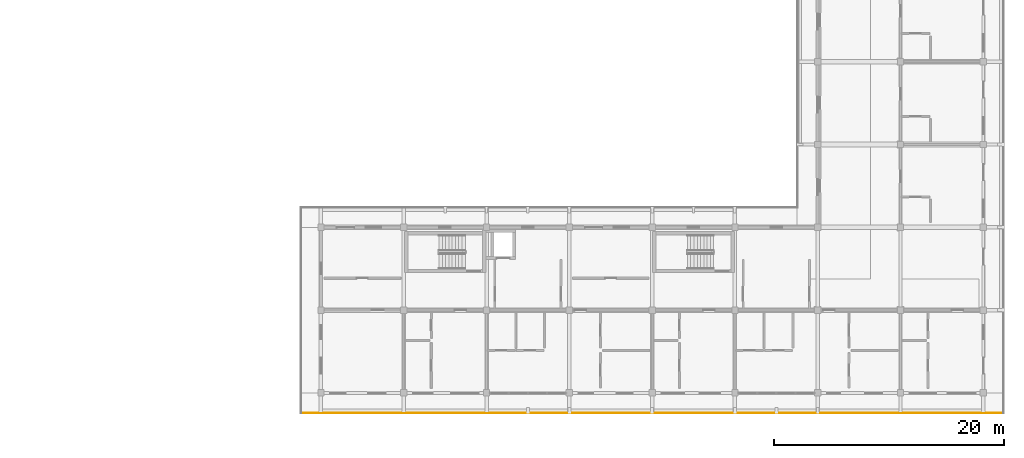
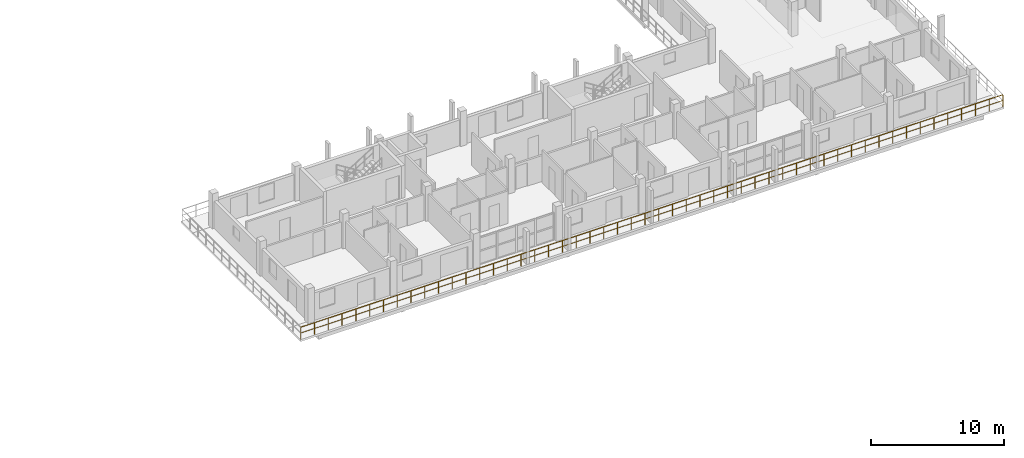
# One storey, part 62 of 67: 1 railing.
"""IFC4 building model written with IfcOpenShell, lengths in metres."""

import ifcopenshell
import ifcopenshell.guid

model = None  # the IFC model being written
_history = None  # IfcOwnerHistory: only IFC2X3 demands one
_inside = {}  # id of a spatial element -> (the spatial element, [elements in it])
_under = {}  # id of a project, library or spatial element -> (it, [spatial elements below it])
_declared = {}  # id of a project -> (the project, [libraries it declares])
_typed = {}  # id of a type object -> (the type object, [elements of that type])
_made_of = {}  # id of a material, layer set ... -> (it, [elements and type objects made of it])


def new_model(schema):
    """Start an empty IFC model of exactly this schema.

    Asked for "IFC4X3", IfcOpenShell would pick the latest addendum, in which some entities
    have other attributes; the version numbers below select the first issue.
    IFC2X3 requires an IfcOwnerHistory on every rooted entity: one is made here for all.
    """
    global model, _history
    if schema == "IFC4X3":
        model = ifcopenshell.file(schema_version=(4, 3, 0, 0))
    else:
        model = ifcopenshell.file(schema=schema)
    _inside.clear()
    _under.clear()
    _declared.clear()
    _typed.clear()
    _made_of.clear()
    _history = None
    if model.schema == "IFC2X3":
        org = make("IfcOrganization", Name="unknown")
        user = make(
            "IfcPersonAndOrganization",
            ThePerson=make("IfcPerson", FamilyName="unknown"),
            TheOrganization=org,
        )
        app = make(
            "IfcApplication",
            ApplicationDeveloper=org,
            Version="unknown",
            ApplicationFullName="unknown",
            ApplicationIdentifier="unknown",
        )
        _history = make(
            "IfcOwnerHistory",
            OwningUser=user,
            OwningApplication=app,
            ChangeAction="ADDED",
            CreationDate=0,
        )
    return model


def make(cls, **values):
    """One entity of the class cls with the attributes given. An attribute that is None is left unset."""
    return model.create_entity(
        cls, **{name: value for name, value in values.items() if value is not None}
    )


def rooted(cls, **values):
    """An entity with a GlobalId (a new one), such as an element, a storey or a relation."""
    return make(cls, GlobalId=ifcopenshell.guid.new(), OwnerHistory=_history, **values)


def si_unit(unit_type, name, prefix=None):
    """IfcSIUnit, for example si_unit("LENGTHUNIT", "METRE", prefix="MILLI")."""
    return make("IfcSIUnit", UnitType=unit_type, Prefix=prefix, Name=name)


def assignment(units):
    """IfcUnitAssignment: the units of a project."""
    return None if units is None else make("IfcUnitAssignment", Units=units)


def point(xyz):
    """IfcCartesianPoint."""
    return None if xyz is None else make("IfcCartesianPoint", Coordinates=xyz)


def direction(xyz):
    """IfcDirection."""
    return None if xyz is None else make("IfcDirection", DirectionRatios=xyz)


def frame(location, z_axis=None, x_axis=None):
    """IfcAxis2Placement3D, a coordinate frame: its origin and axes. An axis left out is left unset."""
    return make(
        "IfcAxis2Placement3D",
        Location=point(location),
        Axis=direction(z_axis),
        RefDirection=direction(x_axis),
    )


def frame_2d(location, x_axis=None):
    """IfcAxis2Placement2D, a coordinate frame in the plane: its origin and x axis."""
    return make(
        "IfcAxis2Placement2D", Location=point(location), RefDirection=direction(x_axis)
    )


def origin():
    """The frame at (0, 0, 0) with its axes left unset."""
    return frame((0.0, 0.0, 0.0))


def origin_2d():
    """The frame at (0, 0) in the plane with its x axis left unset."""
    return frame_2d((0.0, 0.0))


def place(relative_to, where):
    """IfcLocalPlacement: puts the frame where relative to a parent placement (None: the world)."""
    return make(
        "IfcLocalPlacement", PlacementRelTo=relative_to, RelativePlacement=where
    )


def context(
    kind, dimensions, precision=None, world=None, true_north=None, identifier=None
):
    """IfcGeometricRepresentationContext, for example the 3D "Model" context."""
    return make(
        "IfcGeometricRepresentationContext",
        ContextIdentifier=identifier,
        ContextType=kind,
        CoordinateSpaceDimension=dimensions,
        Precision=precision,
        WorldCoordinateSystem=world,
        TrueNorth=true_north,
    )


def subcontext(parent, identifier, kind, view, scale=None):
    """IfcGeometricRepresentationSubContext, for example "Body" below "Model"."""
    return make(
        "IfcGeometricRepresentationSubContext",
        ContextIdentifier=identifier,
        ContextType=kind,
        ParentContext=parent,
        TargetScale=scale,
        TargetView=view,
    )


def project(units=None, contexts=None):
    """IfcProject with its units and contexts."""
    return rooted(
        "IfcProject",
        Name="project",
        RepresentationContexts=contexts,
        UnitsInContext=assignment(units),
    )


def spatial(cls, under=None, at=None, **own):
    """A site, building, storey or space (cls), placed at a placement, below another one or the project."""
    s = rooted(cls, ObjectPlacement=at, **own)
    if under is not None:
        _under.setdefault(under.id(), (under, []))[1].append(s)
    return s


def profile(cls, at=None, kind="AREA", **sizes):
    """A parametric profile (cls). Its sizes go by their IFC names, for example OverallWidth=200.0."""
    return make(cls, ProfileType=kind, Position=at, **sizes)


def rectangle(**sizes):
    """IfcRectangleProfileDef."""
    return profile("IfcRectangleProfileDef", **sizes)


def extrude(swept, where, along, depth):
    """IfcExtrudedAreaSolid: the profile swept, set in the frame where, extruded along a direction by depth."""
    return make(
        "IfcExtrudedAreaSolid",
        SweptArea=swept,
        Position=where,
        ExtrudedDirection=direction(along),
        Depth=depth,
    )


def shape(context_of_items, identifier, shape_type, items):
    """IfcShapeRepresentation: the items that make up one representation, for example the "Body"."""
    return make(
        "IfcShapeRepresentation",
        ContextOfItems=context_of_items,
        RepresentationIdentifier=identifier,
        RepresentationType=shape_type,
        Items=items,
    )


def material(Name=None, Category=None):
    """IfcMaterial."""
    return make("IfcMaterial", Name=Name, Category=Category)


def made_of(thing, what):
    """Note that an element or type object is made of a material, layer set ...; save() writes the relation."""
    if what is not None:
        _made_of.setdefault(what.id(), (what, []))[1].append(thing)
    return thing


def type_object(cls, material=None, **own):
    """A type object (cls), such as IfcWallType, which elements share."""
    return made_of(rooted(cls, **own), material)


def element(
    cls,
    number,
    at=None,
    inside=None,
    cuts=None,
    type_object=None,
    material=None,
    context=None,
    identifier="Body",
    shape_type=None,
    held_by="IfcProductDefinitionShape",
    body=None,
    shapes=None,
    **own,
):
    """One element of the class cls, such as IfcWall. Its Tag is "e" and its number.

    at: its placement. inside: the storey or other place that contains it. cuts: it is an
    opening in that element (IfcRelVoidsElement). A single representation is given by context,
    identifier, shape_type and body (its items); several are given by shapes. held_by: the class
    of the entity that holds the representations. save() writes the other relations.
    """
    e = rooted(cls, Tag="e%d" % number, ObjectPlacement=at, **own)
    if body is not None:
        shapes = [shape(context, identifier, shape_type, body)]
    if shapes is not None:
        e.Representation = make(held_by, Representations=shapes)
    if inside is not None:
        _inside.setdefault(inside.id(), (inside, []))[1].append(e)
    if cuts is not None:
        rooted(
            "IfcRelVoidsElement", RelatingBuildingElement=cuts, RelatedOpeningElement=e
        )
    if type_object is not None:
        _typed.setdefault(type_object.id(), (type_object, []))[1].append(e)
    return made_of(e, material)


def aggregate(whole, parts):
    """IfcRelAggregates: a whole, such as a stair, and the parts it consists of."""
    return rooted("IfcRelAggregates", RelatingObject=whole, RelatedObjects=parts)


def save(model, path):
    """Write the relations noted so far, then the file.

    IfcRelAggregates (storeys below a building ...), IfcRelContainedInSpatialStructure (elements
    in a storey), IfcRelDefinesByType, IfcRelAssociatesMaterial and IfcRelDeclares: one each for
    every whole, place, type object, material and project.
    """
    for whole, parts in _under.values():
        aggregate(whole, parts)
    for where, things in _inside.values():
        rooted(
            "IfcRelContainedInSpatialStructure",
            RelatedElements=things,
            RelatingStructure=where,
        )
    for kind, things in _typed.values():
        rooted("IfcRelDefinesByType", RelatedObjects=things, RelatingType=kind)
    for what, things in _made_of.values():
        rooted("IfcRelAssociatesMaterial", RelatedObjects=things, RelatingMaterial=what)
    for by, libraries in _declared.values():
        rooted("IfcRelDeclares", RelatingContext=by, RelatedDefinitions=libraries)
    model.write(path)


model = new_model("IFC4")

# Units and contexts
model_context = context("Model", 3, precision=1e-05, world=origin(), true_north=direction((0.0, 1.0)))
body_context = subcontext(model_context, "Body", "Model", "MODEL_VIEW")
ifc_project = project(units=[si_unit("LENGTHUNIT", "METRE"), si_unit("AREAUNIT", "SQUARE_METRE"), si_unit("VOLUMEUNIT", "CUBIC_METRE"), si_unit("PLANEANGLEUNIT", "RADIAN"), si_unit("MASSUNIT", "GRAM", prefix="KILO")], contexts=[model_context])

# Site, building, storey
site_placement = place(None, origin())
site = spatial("IfcSite", under=ifc_project, at=site_placement, CompositionType="ELEMENT")
building_placement = place(site_placement, origin())
building = spatial("IfcBuilding", under=site, at=building_placement, Name="Suanplinth Sawtooth Commons", CompositionType="ELEMENT")
storey_placement = place(building_placement, frame((0.0, 0.0, 25.10009765625)))
storey = spatial("IfcBuildingStorey", under=building, at=storey_placement, Name="L07", CompositionType="ELEMENT", Elevation=25.10009765625)

# Railing
ifc_material = material(Name="Powder-coated galvanized steel", Category="steel")
railing_type = type_object("IfcRailingType", Name="GR-01", PredefinedType="BALUSTRADE", material=ifc_material)
railing_placement = place(storey_placement, frame((188.93994140625, -1.739990234375, 0.0)))
element("IfcRailing", 1, at=railing_placement, inside=storey, type_object=railing_type, Name="L07 Block C Perimeter Balustrade 6", PredefinedType="BALUSTRADE", context=body_context, shape_type="SweptSolid", body=[
    extrude(rectangle(XDim=0.048095703125, YDim=0.048095703125, at=origin_2d()), frame((0.0, 0.0, 1.09619140625), z_axis=(-1.0, 0.0, 0.0), x_axis=(0.0, -1.0, 0.0)), (0.0, 0.0, 1.0), 61.079833984375),
    extrude(rectangle(XDim=0.03369140625, YDim=0.03369140625, at=origin_2d()), frame((0.0, 0.0, 0.56005859375), z_axis=(-1.0, 0.0, 0.0), x_axis=(0.0, -1.0, 0.0)), (0.0, 0.0, 1.0), 61.079833984375),
    extrude(rectangle(XDim=0.0419921875, YDim=0.0419921875, at=origin_2d()), origin(), (0.0, 0.0, 1.0), 1.072021484375),
    extrude(rectangle(XDim=0.0419921875, YDim=0.0419921875, at=origin_2d()), frame((-1.19775390625, 0.0, 0.0)), (0.0, 0.0, 1.0), 1.072021484375),
    extrude(rectangle(XDim=0.0419921875, YDim=0.0419921875, at=origin_2d()), frame((-2.395263671875, 0.0, 0.0)), (0.0, 0.0, 1.0), 1.072021484375),
    extrude(rectangle(XDim=0.0419921875, YDim=0.0419921875, at=origin_2d()), frame((-3.593017578125, 0.0, 0.0)), (0.0, 0.0, 1.0), 1.072021484375),
    extrude(rectangle(XDim=0.0419921875, YDim=0.0419921875, at=origin_2d()), frame((-4.79052734375, 0.0, 0.0)), (0.0, 0.0, 1.0), 1.072021484375),
    extrude(rectangle(XDim=0.0419921875, YDim=0.0419921875, at=origin_2d()), frame((-5.98828125, 0.0, 0.0)), (0.0, 0.0, 1.0), 1.072021484375),
    extrude(rectangle(XDim=0.0419921875, YDim=0.0419921875, at=origin_2d()), frame((-7.185791015625, 0.0, 0.0)), (0.0, 0.0, 1.0), 1.072021484375),
    extrude(rectangle(XDim=0.0419921875, YDim=0.0419921875, at=origin_2d()), frame((-8.383544921875, 0.0, 0.0)), (0.0, 0.0, 1.0), 1.072021484375),
    extrude(rectangle(XDim=0.0419921875, YDim=0.0419921875, at=origin_2d()), frame((-9.5810546875, 0.0, 0.0)), (0.0, 0.0, 1.0), 1.072021484375),
    extrude(rectangle(XDim=0.0419921875, YDim=0.0419921875, at=origin_2d()), frame((-10.77880859375, 0.0, 0.0)), (0.0, 0.0, 1.0), 1.072021484375),
    extrude(rectangle(XDim=0.0419921875, YDim=0.0419921875, at=origin_2d()), frame((-11.976318359375, 0.0, 0.0)), (0.0, 0.0, 1.0), 1.072021484375),
    extrude(rectangle(XDim=0.0419921875, YDim=0.0419921875, at=origin_2d()), frame((-13.174072265625, 0.0, 0.0)), (0.0, 0.0, 1.0), 1.072021484375),
    extrude(rectangle(XDim=0.0419921875, YDim=0.0419921875, at=origin_2d()), frame((-14.371826171875, 0.0, 0.0)), (0.0, 0.0, 1.0), 1.072021484375),
    extrude(rectangle(XDim=0.0419921875, YDim=0.0419921875, at=origin_2d()), frame((-15.5693359375, 0.0, 0.0)), (0.0, 0.0, 1.0), 1.072021484375),
    extrude(rectangle(XDim=0.0419921875, YDim=0.0419921875, at=origin_2d()), frame((-16.76708984375, 0.0, 0.0)), (0.0, 0.0, 1.0), 1.072021484375),
    extrude(rectangle(XDim=0.0419921875, YDim=0.0419921875, at=origin_2d()), frame((-17.964599609375, 0.0, 0.0)), (0.0, 0.0, 1.0), 1.072021484375),
    extrude(rectangle(XDim=0.0419921875, YDim=0.0419921875, at=origin_2d()), frame((-19.162353515625, 0.0, 0.0)), (0.0, 0.0, 1.0), 1.072021484375),
    extrude(rectangle(XDim=0.0419921875, YDim=0.0419921875, at=origin_2d()), frame((-20.35986328125, 0.0, 0.0)), (0.0, 0.0, 1.0), 1.072021484375),
    extrude(rectangle(XDim=0.0419921875, YDim=0.0419921875, at=origin_2d()), frame((-21.5576171875, 0.0, 0.0)), (0.0, 0.0, 1.0), 1.072021484375),
    extrude(rectangle(XDim=0.0419921875, YDim=0.0419921875, at=origin_2d()), frame((-22.755126953125, 0.0, 0.0)), (0.0, 0.0, 1.0), 1.072021484375),
    extrude(rectangle(XDim=0.0419921875, YDim=0.0419921875, at=origin_2d()), frame((-23.952880859375, 0.0, 0.0)), (0.0, 0.0, 1.0), 1.072021484375),
    extrude(rectangle(XDim=0.0419921875, YDim=0.0419921875, at=origin_2d()), frame((-25.150634765625, 0.0, 0.0)), (0.0, 0.0, 1.0), 1.072021484375),
    extrude(rectangle(XDim=0.0419921875, YDim=0.0419921875, at=origin_2d()), frame((-26.34814453125, 0.0, 0.0)), (0.0, 0.0, 1.0), 1.072021484375),
    extrude(rectangle(XDim=0.0419921875, YDim=0.0419921875, at=origin_2d()), frame((-27.5458984375, 0.0, 0.0)), (0.0, 0.0, 1.0), 1.072021484375),
    extrude(rectangle(XDim=0.0419921875, YDim=0.0419921875, at=origin_2d()), frame((-28.743408203125, 0.0, 0.0)), (0.0, 0.0, 1.0), 1.072021484375),
    extrude(rectangle(XDim=0.0419921875, YDim=0.0419921875, at=origin_2d()), frame((-29.941162109375, 0.0, 0.0)), (0.0, 0.0, 1.0), 1.072021484375),
    extrude(rectangle(XDim=0.0419921875, YDim=0.0419921875, at=origin_2d()), frame((-31.138671875, 0.0, 0.0)), (0.0, 0.0, 1.0), 1.072021484375),
    extrude(rectangle(XDim=0.0419921875, YDim=0.0419921875, at=origin_2d()), frame((-32.33642578125, 0.0, 0.0)), (0.0, 0.0, 1.0), 1.072021484375),
    extrude(rectangle(XDim=0.0419921875, YDim=0.0419921875, at=origin_2d()), frame((-33.533935546875, 0.0, 0.0)), (0.0, 0.0, 1.0), 1.072021484375),
    extrude(rectangle(XDim=0.0419921875, YDim=0.0419921875, at=origin_2d()), frame((-34.731689453125, 0.0, 0.0)), (0.0, 0.0, 1.0), 1.072021484375),
    extrude(rectangle(XDim=0.0419921875, YDim=0.0419921875, at=origin_2d()), frame((-35.92919921875, 0.0, 0.0)), (0.0, 0.0, 1.0), 1.072021484375),
    extrude(rectangle(XDim=0.0419921875, YDim=0.0419921875, at=origin_2d()), frame((-37.126953125, 0.0, 0.0)), (0.0, 0.0, 1.0), 1.072021484375),
    extrude(rectangle(XDim=0.0419921875, YDim=0.0419921875, at=origin_2d()), frame((-38.32470703125, 0.0, 0.0)), (0.0, 0.0, 1.0), 1.072021484375),
    extrude(rectangle(XDim=0.0419921875, YDim=0.0419921875, at=origin_2d()), frame((-39.522216796875, 0.0, 0.0)), (0.0, 0.0, 1.0), 1.072021484375),
    extrude(rectangle(XDim=0.0419921875, YDim=0.0419921875, at=origin_2d()), frame((-40.719970703125, 0.0, 0.0)), (0.0, 0.0, 1.0), 1.072021484375),
    extrude(rectangle(XDim=0.0419921875, YDim=0.0419921875, at=origin_2d()), frame((-41.91748046875, 0.0, 0.0)), (0.0, 0.0, 1.0), 1.072021484375),
    extrude(rectangle(XDim=0.0419921875, YDim=0.0419921875, at=origin_2d()), frame((-43.115234375, 0.0, 0.0)), (0.0, 0.0, 1.0), 1.072021484375),
    extrude(rectangle(XDim=0.0419921875, YDim=0.0419921875, at=origin_2d()), frame((-44.312744140625, 0.0, 0.0)), (0.0, 0.0, 1.0), 1.072021484375),
    extrude(rectangle(XDim=0.0419921875, YDim=0.0419921875, at=origin_2d()), frame((-45.510498046875, 0.0, 0.0)), (0.0, 0.0, 1.0), 1.072021484375),
    extrude(rectangle(XDim=0.0419921875, YDim=0.0419921875, at=origin_2d()), frame((-46.7080078125, 0.0, 0.0)), (0.0, 0.0, 1.0), 1.072021484375),
    extrude(rectangle(XDim=0.0419921875, YDim=0.0419921875, at=origin_2d()), frame((-47.90576171875, 0.0, 0.0)), (0.0, 0.0, 1.0), 1.072021484375),
    extrude(rectangle(XDim=0.0419921875, YDim=0.0419921875, at=origin_2d()), frame((-49.103515625, 0.0, 0.0)), (0.0, 0.0, 1.0), 1.072021484375),
    extrude(rectangle(XDim=0.0419921875, YDim=0.0419921875, at=origin_2d()), frame((-50.301025390625, 0.0, 0.0)), (0.0, 0.0, 1.0), 1.072021484375),
    extrude(rectangle(XDim=0.0419921875, YDim=0.0419921875, at=origin_2d()), frame((-51.498779296875, 0.0, 0.0)), (0.0, 0.0, 1.0), 1.072021484375),
    extrude(rectangle(XDim=0.0419921875, YDim=0.0419921875, at=origin_2d()), frame((-52.6962890625, 0.0, 0.0)), (0.0, 0.0, 1.0), 1.072021484375),
    extrude(rectangle(XDim=0.0419921875, YDim=0.0419921875, at=origin_2d()), frame((-53.89404296875, 0.0, 0.0)), (0.0, 0.0, 1.0), 1.072021484375),
    extrude(rectangle(XDim=0.0419921875, YDim=0.0419921875, at=origin_2d()), frame((-55.091552734375, 0.0, 0.0)), (0.0, 0.0, 1.0), 1.072021484375),
    extrude(rectangle(XDim=0.0419921875, YDim=0.0419921875, at=origin_2d()), frame((-56.289306640625, 0.0, 0.0)), (0.0, 0.0, 1.0), 1.072021484375),
    extrude(rectangle(XDim=0.0419921875, YDim=0.0419921875, at=origin_2d()), frame((-57.48681640625, 0.0, 0.0)), (0.0, 0.0, 1.0), 1.072021484375),
    extrude(rectangle(XDim=0.0419921875, YDim=0.0419921875, at=origin_2d()), frame((-58.6845703125, 0.0, 0.0)), (0.0, 0.0, 1.0), 1.072021484375),
    extrude(rectangle(XDim=0.0419921875, YDim=0.0419921875, at=origin_2d()), frame((-59.882080078125, 0.0, 0.0)), (0.0, 0.0, 1.0), 1.072021484375),
    extrude(rectangle(XDim=0.0419921875, YDim=0.0419921875, at=origin_2d()), frame((-61.079833984375, 0.0, 0.0)), (0.0, 0.0, 1.0), 1.072021484375),
])

save(model, "model.ifc")
